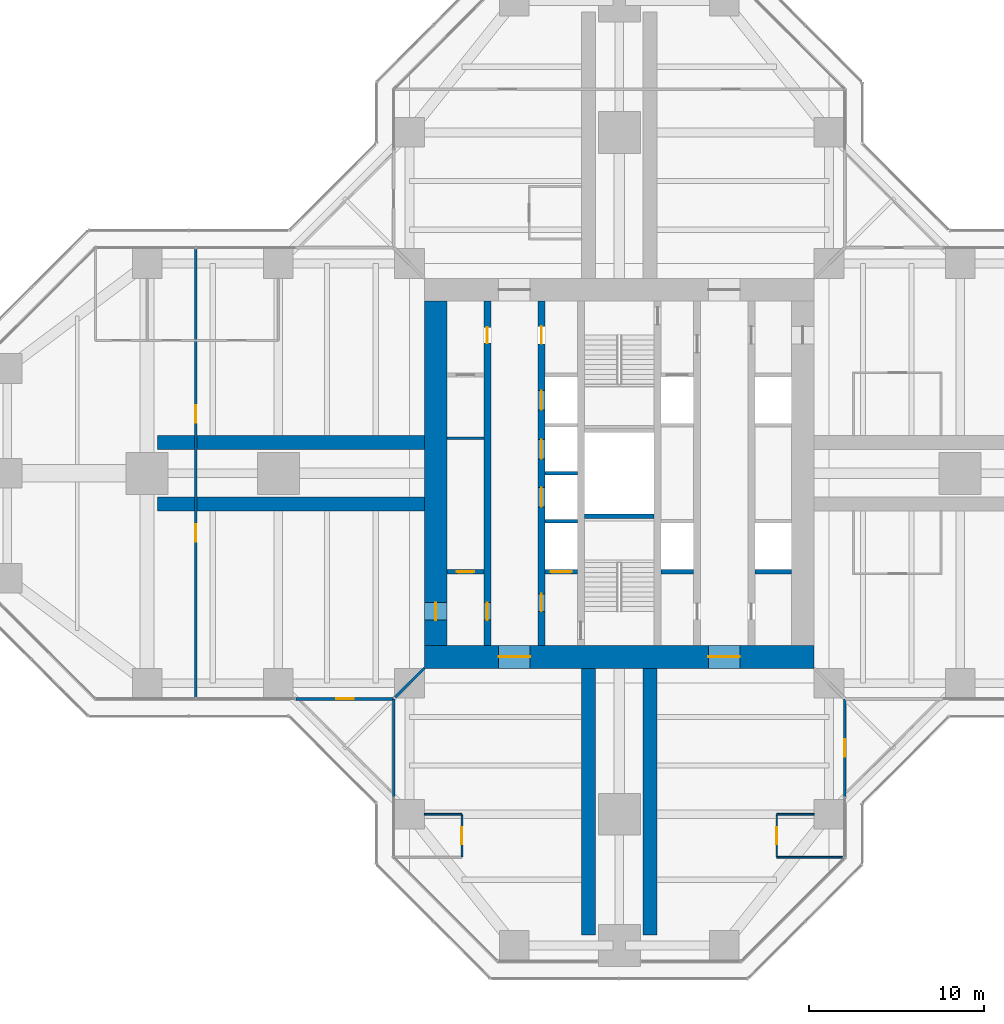
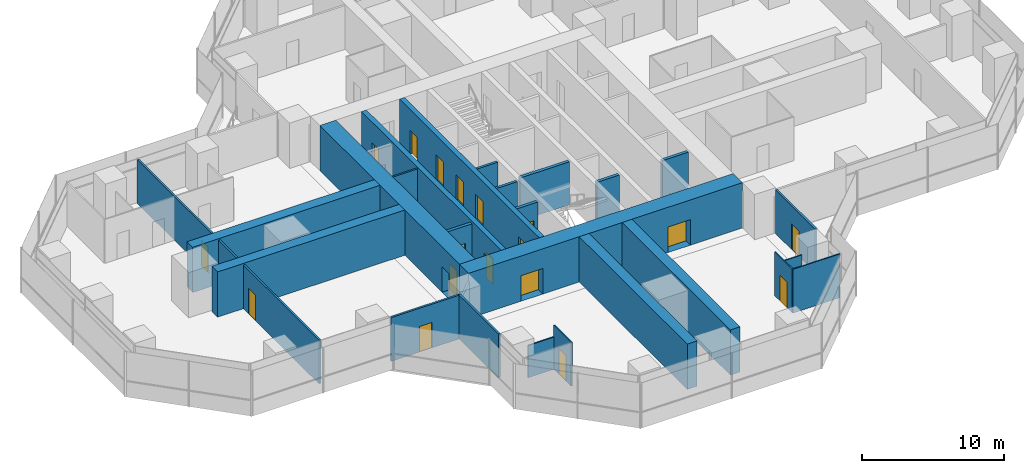
# One storey, part 15 of 19: 26 walls, 18 doors, 18 openings.
"""IFC4 building model written with IfcOpenShell, lengths in metres."""

from ifc_helpers import new_model, si_unit, direction, frame, frame_2d, origin, place, context, subcontext, project, spatial, rectangle, extrude, material, layer, layer_set, type_object, element, fill, save


model = new_model("IFC4")

# Units and contexts
model_context = context("Model", 3, precision=1e-05, world=origin(), true_north=direction((0.0, 1.0)))
body_context = subcontext(model_context, "Body", "Model", "MODEL_VIEW")
ifc_project = project(units=[si_unit("LENGTHUNIT", "METRE"), si_unit("AREAUNIT", "SQUARE_METRE"), si_unit("VOLUMEUNIT", "CUBIC_METRE"), si_unit("PLANEANGLEUNIT", "RADIAN"), si_unit("MASSUNIT", "GRAM", prefix="KILO")], contexts=[model_context])

# Site, building, storey
site_placement = place(None, origin())
site = spatial("IfcSite", under=ifc_project, at=site_placement, CompositionType="ELEMENT")
building_placement = place(site_placement, origin())
building = spatial("IfcBuilding", under=site, at=building_placement, Name="Mizan Broadcast Tower", CompositionType="ELEMENT")
storey_placement = place(building_placement, frame((0.0, 0.0, 159.300048828125)))
storey = spatial("IfcBuildingStorey", under=building, at=storey_placement, Name="L36", CompositionType="ELEMENT", Elevation=159.300048828125)

# Wall, openings, doors
ifc_material_1 = material(Name="Concrete C70/85", Category="concrete")
ifc_layer_1 = layer(ifc_material_1, 0.39990234375)
ifc_layer_set_1 = layer_set([ifc_layer_1], Name="Concrete C70/85")
wall_type_1 = type_object("IfcWallType", Name="CORE INTERNAL WALL 400", PredefinedType="SHEAR", material=ifc_layer_set_1)
wall_1_placement = place(storey_placement, frame((-7.550048828125, -9.85009765625, 0.0), z_axis=(0.0, 0.0, 1.0), x_axis=(0.0, 1.0, 0.0)))
wall_1 = element("IfcWall", 1, at=wall_1_placement, inside=storey, type_object=wall_type_1, Name="Core wall CORE/XW1", PredefinedType="SHEAR", context=body_context, shape_type="SweptSolid", body=[
    extrude(rectangle(XDim=19.7001953125, YDim=0.39990234375, at=frame_2d((9.85009765625, 0.0))), origin(), (0.0, 0.0, 1.0), 3.89990234375),
])
opening_1_placement = place(wall_1_placement, frame((1.449951171875, 0.0, 0.0)))
opening_1 = element("IfcOpeningElement", 2, at=opening_1_placement, cuts=wall_1, Name="Opening D10F", PredefinedType="OPENING", context=body_context, shape_type="SweptSolid", body=[
    extrude(rectangle(XDim=1.0, YDim=2.199951171875, at=frame_2d((0.5, 1.10009765625))), frame((0.0, 0.2099609375, 0.0), z_axis=(0.0, -1.0, 0.0), x_axis=(1.0, 0.0, 0.0)), (0.0, 0.0, 1.0), 0.419921875),
])
opening_2_placement = place(wall_1_placement, frame((17.300048828125, 0.0, 0.0)))
opening_2 = element("IfcOpeningElement", 3, at=opening_2_placement, cuts=wall_1, Name="Opening D09", PredefinedType="OPENING", context=body_context, shape_type="SweptSolid", body=[
    extrude(rectangle(XDim=0.89990234375, YDim=2.10009765625, at=frame_2d((0.449951171875, 1.050048828125))), frame((0.0, 0.2099609375, 0.0), z_axis=(0.0, -1.0, 0.0), x_axis=(1.0, 0.0, 0.0)), (0.0, 0.0, 1.0), 0.419921875),
])
ifc_material_2 = material(Name="Steel door leaf in steel frame", Category="steel")
door_type_1 = type_object("IfcDoorType", Name="FIRE DOOR 1000 FD90", OperationType="SINGLE_SWING_LEFT", PredefinedType="DOOR", material=ifc_material_2)
door_1_placement = place(opening_1_placement, origin())
door_1 = element("IfcDoor", 4, at=door_1_placement, inside=storey, type_object=door_type_1, Name="West core passage door", OperationType="SINGLE_SWING_LEFT", OverallHeight=2.199951171875, OverallWidth=1.0, PredefinedType="DOOR", context=body_context, shape_type="SweptSolid", body=[
    extrude(rectangle(XDim=1.0, YDim=2.199951171875, at=frame_2d((0.5, 1.10009765625))), frame((0.0, 0.02490234375, 0.0), z_axis=(0.0, -1.0, 0.0), x_axis=(1.0, 0.0, 0.0)), (0.0, 0.0, 1.0), 0.050048828125),
])
fill(opening_1, door_1)
ifc_material_3 = material(Name="Timber door leaf in aluminium frame", Category="wood")
door_type_2 = type_object("IfcDoorType", Name="TOILET DOOR 900", OperationType="SINGLE_SWING_LEFT", PredefinedType="DOOR", material=ifc_material_3)
door_2_placement = place(opening_2_placement, origin())
door_2 = element("IfcDoor", 5, at=door_2_placement, inside=storey, type_object=door_type_2, Name="Male WC door", OperationType="SINGLE_SWING_RIGHT", OverallHeight=2.10009765625, OverallWidth=0.89990234375, PredefinedType="DOOR", context=body_context, shape_type="SweptSolid", body=[
    extrude(rectangle(XDim=0.89990234375, YDim=2.10009765625, at=frame_2d((0.449951171875, 1.050048828125))), frame((0.0, 0.02490234375, 0.0), z_axis=(0.0, -1.0, 0.0), x_axis=(1.0, 0.0, 0.0)), (0.0, 0.0, 1.0), 0.050048828125),
])
fill(opening_2, door_2)

wall_2_placement = place(storey_placement, frame((-4.449951171875, -9.85009765625, 0.0), z_axis=(0.0, 0.0, 1.0), x_axis=(0.0, 1.0, 0.0)))
wall_2 = element("IfcWall", 6, at=wall_2_placement, inside=storey, type_object=wall_type_1, Name="Core wall CORE/XWH", PredefinedType="SHEAR", context=body_context, shape_type="SweptSolid", body=[
    extrude(rectangle(XDim=19.7001953125, YDim=0.39990234375, at=frame_2d((9.85009765625, 0.0))), origin(), (0.0, 0.0, 1.0), 3.89990234375),
])
opening_3_placement = place(wall_2_placement, frame((1.949951171875, 0.0, 0.0)))
opening_3 = element("IfcOpeningElement", 7, at=opening_3_placement, cuts=wall_2, Name="Opening D10F", PredefinedType="OPENING", context=body_context, shape_type="SweptSolid", body=[
    extrude(rectangle(XDim=1.0, YDim=2.199951171875, at=frame_2d((0.5, 1.10009765625))), frame((0.0, 0.2099609375, 0.0), z_axis=(0.0, -1.0, 0.0), x_axis=(1.0, 0.0, 0.0)), (0.0, 0.0, 1.0), 0.419921875),
])
opening_4_placement = place(wall_2_placement, frame((17.25, 0.0, 0.0)))
opening_4 = element("IfcOpeningElement", 8, at=opening_4_placement, cuts=wall_2, Name="Opening D10A", PredefinedType="OPENING", context=body_context, shape_type="SweptSolid", body=[
    extrude(rectangle(XDim=1.0, YDim=2.10009765625, at=frame_2d((0.5, 1.050048828125))), frame((0.0, 0.2099609375, 0.0), z_axis=(0.0, -1.0, 0.0), x_axis=(1.0, 0.0, 0.0)), (0.0, 0.0, 1.0), 0.419921875),
])
opening_5_placement = place(wall_2_placement, frame((7.925048828125, 0.0, 0.0)))
opening_5 = element("IfcOpeningElement", 9, at=opening_5_placement, cuts=wall_2, Name="Opening LD", PredefinedType="OPENING", context=body_context, shape_type="SweptSolid", body=[
    extrude(rectangle(XDim=1.10009765625, YDim=2.199951171875, at=frame_2d((0.550048828125, 1.10009765625))), frame((0.0, 0.2099609375, 0.0), z_axis=(0.0, -1.0, 0.0), x_axis=(1.0, 0.0, 0.0)), (0.0, 0.0, 1.0), 0.419921875),
])
opening_6_placement = place(wall_2_placement, frame((10.675048828125, 0.0, 0.0)))
opening_6 = element("IfcOpeningElement", 10, at=opening_6_placement, cuts=wall_2, Name="Opening LD", PredefinedType="OPENING", context=body_context, shape_type="SweptSolid", body=[
    extrude(rectangle(XDim=1.10009765625, YDim=2.199951171875, at=frame_2d((0.550048828125, 1.10009765625))), frame((0.0, 0.2099609375, 0.0), z_axis=(0.0, -1.0, 0.0), x_axis=(1.0, 0.0, 0.0)), (0.0, 0.0, 1.0), 0.419921875),
])
opening_7_placement = place(wall_2_placement, frame((13.47509765625, 0.0, 0.0)))
opening_7 = element("IfcOpeningElement", 11, at=opening_7_placement, cuts=wall_2, Name="Opening LD", PredefinedType="OPENING", context=body_context, shape_type="SweptSolid", body=[
    extrude(rectangle(XDim=1.10009765625, YDim=2.199951171875, at=frame_2d((0.550048828125, 1.10009765625))), frame((0.0, 0.2099609375, 0.0), z_axis=(0.0, -1.0, 0.0), x_axis=(1.0, 0.0, 0.0)), (0.0, 0.0, 1.0), 0.419921875),
])
ifc_material_4 = material(Name="Timber door leaf in aluminium frame", Category="wood")
door_type_3 = type_object("IfcDoorType", Name="ACCESSIBLE WC DOOR 1000", OperationType="SLIDING_TO_LEFT", PredefinedType="DOOR", material=ifc_material_4)
door_3_placement = place(opening_4_placement, origin())
door_3 = element("IfcDoor", 12, at=door_3_placement, inside=storey, type_object=door_type_3, Name="Accessible WC door", OperationType="SLIDING_TO_LEFT", OverallHeight=2.10009765625, OverallWidth=1.0, PredefinedType="DOOR", context=body_context, shape_type="SweptSolid", body=[
    extrude(rectangle(XDim=1.0, YDim=2.10009765625, at=frame_2d((0.5, 1.050048828125))), frame((0.0, 0.02490234375, 0.0), z_axis=(0.0, -1.0, 0.0), x_axis=(1.0, 0.0, 0.0)), (0.0, 0.0, 1.0), 0.050048828125),
])
fill(opening_4, door_3)
door_4_placement = place(opening_3_placement, origin())
door_4 = element("IfcDoor", 13, at=door_4_placement, inside=storey, type_object=door_type_1, Name="Firefighting lobby A door", OperationType="SINGLE_SWING_LEFT", OverallHeight=2.199951171875, OverallWidth=1.0, PredefinedType="DOOR", context=body_context, shape_type="SweptSolid", body=[
    extrude(rectangle(XDim=1.0, YDim=2.199951171875, at=frame_2d((0.5, 1.10009765625))), frame((0.0, 0.02490234375, 0.0), z_axis=(0.0, -1.0, 0.0), x_axis=(1.0, 0.0, 0.0)), (0.0, 0.0, 1.0), 0.050048828125),
])
fill(opening_3, door_4)
ifc_material_5 = material(Name="Steel door leaf in steel frame", Category="steel")
door_type_4 = type_object("IfcDoorType", Name="LIFT LANDING DOOR 1100", OperationType="SLIDING_TO_LEFT", PredefinedType="DOOR", material=ifc_material_5)
door_5_placement = place(opening_5_placement, origin())
door_5 = element("IfcDoor", 14, at=door_5_placement, inside=storey, type_object=door_type_4, Name="Landing door LB1", OperationType="SLIDING_TO_LEFT", OverallHeight=2.199951171875, OverallWidth=1.10009765625, PredefinedType="DOOR", context=body_context, shape_type="SweptSolid", body=[
    extrude(rectangle(XDim=1.10009765625, YDim=2.199951171875, at=frame_2d((0.550048828125, 1.10009765625))), frame((0.0, 0.02490234375, 0.0), z_axis=(0.0, -1.0, 0.0), x_axis=(1.0, 0.0, 0.0)), (0.0, 0.0, 1.0), 0.050048828125),
])
fill(opening_5, door_5)
door_6_placement = place(opening_6_placement, origin())
door_6 = element("IfcDoor", 15, at=door_6_placement, inside=storey, type_object=door_type_4, Name="Landing door LB2", OperationType="SLIDING_TO_LEFT", OverallHeight=2.199951171875, OverallWidth=1.10009765625, PredefinedType="DOOR", context=body_context, shape_type="SweptSolid", body=[
    extrude(rectangle(XDim=1.10009765625, YDim=2.199951171875, at=frame_2d((0.550048828125, 1.10009765625))), frame((0.0, 0.02490234375, 0.0), z_axis=(0.0, -1.0, 0.0), x_axis=(1.0, 0.0, 0.0)), (0.0, 0.0, 1.0), 0.050048828125),
])
fill(opening_6, door_6)
door_7_placement = place(opening_7_placement, origin())
door_7 = element("IfcDoor", 16, at=door_7_placement, inside=storey, type_object=door_type_4, Name="Landing door LB3", OperationType="SLIDING_TO_LEFT", OverallHeight=2.199951171875, OverallWidth=1.10009765625, PredefinedType="DOOR", context=body_context, shape_type="SweptSolid", body=[
    extrude(rectangle(XDim=1.10009765625, YDim=2.199951171875, at=frame_2d((0.550048828125, 1.10009765625))), frame((0.0, 0.02490234375, 0.0), z_axis=(0.0, -1.0, 0.0), x_axis=(1.0, 0.0, 0.0)), (0.0, 0.0, 1.0), 0.050048828125),
])
fill(opening_7, door_7)

# Wall
ifc_material_6 = material(Name="Concrete blockwork", Category="masonry")
ifc_layer_2 = layer(ifc_material_6, 0.14990234375)
ifc_layer_set_2 = layer_set([ifc_layer_2], Name="Concrete blockwork")
wall_type_2 = type_object("IfcWallType", Name="CORE PARTITION 150", PredefinedType="SOLIDWALL", material=ifc_layer_set_2)
wall_3_placement = place(storey_placement, frame((-9.85009765625, 2.0, 0.0), z_axis=(0.0, 0.0, 1.0), x_axis=(1.0, 0.0, 0.0)))
element("IfcWall", 17, at=wall_3_placement, inside=storey, type_object=wall_type_2, Name="Core partition CORE/XP1", PredefinedType="SOLIDWALL", context=body_context, shape_type="SweptSolid", body=[
    extrude(rectangle(XDim=2.10009765625, YDim=0.14990234375, at=frame_2d((1.050048828125, 0.0))), origin(), (0.0, 0.0, 1.0), 3.77001953125),
])

# Wall, openings, doors
ifc_material_7 = material(Name="Concrete C70/85", Category="concrete")
ifc_layer_3 = layer(ifc_material_7, 1.300048828125)
ifc_layer_set_3 = layer_set([ifc_layer_3], Name="Concrete C70/85")
wall_type_3 = type_object("IfcWallType", Name="CORE WALL 1300", PredefinedType="SHEAR", material=ifc_layer_set_3)
wall_4_placement = place(storey_placement, frame((11.14990234375, -10.5, 0.0), z_axis=(0.0, 0.0, 1.0), x_axis=(-1.0, 0.0, 0.0)))
wall_4 = element("IfcWall", 18, at=wall_4_placement, inside=storey, type_object=wall_type_3, Name="Core wall S L36", PredefinedType="SHEAR", context=body_context, shape_type="SweptSolid", body=[
    extrude(rectangle(XDim=22.2998046875, YDim=1.300048828125, at=frame_2d((11.14990234375, 0.0))), origin(), (0.0, 0.0, 1.0), 3.89990234375),
])
opening_8_placement = place(wall_4_placement, frame((16.25, 0.0, 0.0)))
opening_8 = element("IfcOpeningElement", 19, at=opening_8_placement, cuts=wall_4, Name="Opening D18F", PredefinedType="OPENING", context=body_context, shape_type="SweptSolid", body=[
    extrude(rectangle(XDim=1.800048828125, YDim=2.199951171875, at=frame_2d((0.89990234375, 1.10009765625))), frame((0.0, 0.659912109375, 0.0), z_axis=(0.0, -1.0, 0.0), x_axis=(1.0, 0.0, 0.0)), (0.0, 0.0, 1.0), 1.320068359375),
])
opening_9_placement = place(wall_4_placement, frame((4.25, 0.0, 0.0)))
opening_9 = element("IfcOpeningElement", 20, at=opening_9_placement, cuts=wall_4, Name="Opening D18F", PredefinedType="OPENING", context=body_context, shape_type="SweptSolid", body=[
    extrude(rectangle(XDim=1.800048828125, YDim=2.199951171875, at=frame_2d((0.89990234375, 1.10009765625))), frame((0.0, 0.659912109375, 0.0), z_axis=(0.0, -1.0, 0.0), x_axis=(1.0, 0.0, 0.0)), (0.0, 0.0, 1.0), 1.320068359375),
])
ifc_material_8 = material(Name="Steel door leaf in steel frame", Category="steel")
door_type_5 = type_object("IfcDoorType", Name="LOBBY DOUBLE DOOR 1800 FD90", OperationType="DOUBLE_DOOR_DOUBLE_SWING", PredefinedType="DOOR", material=ifc_material_8)
door_8_placement = place(opening_8_placement, origin())
door_8 = element("IfcDoor", 21, at=door_8_placement, inside=storey, type_object=door_type_5, Name="West lift lobby south door", OperationType="DOUBLE_DOOR_DOUBLE_SWING", OverallHeight=2.199951171875, OverallWidth=1.800048828125, PredefinedType="DOOR", context=body_context, shape_type="SweptSolid", body=[
    extrude(rectangle(XDim=1.800048828125, YDim=2.199951171875, at=frame_2d((0.89990234375, 1.10009765625))), frame((0.0, 0.02490234375, 0.0), z_axis=(0.0, -1.0, 0.0), x_axis=(1.0, 0.0, 0.0)), (0.0, 0.0, 1.0), 0.050048828125),
])
fill(opening_8, door_8)
door_9_placement = place(opening_9_placement, origin())
door_9 = element("IfcDoor", 22, at=door_9_placement, inside=storey, type_object=door_type_5, Name="East lift lobby south door", OperationType="DOUBLE_DOOR_DOUBLE_SWING", OverallHeight=2.199951171875, OverallWidth=1.800048828125, PredefinedType="DOOR", context=body_context, shape_type="SweptSolid", body=[
    extrude(rectangle(XDim=1.800048828125, YDim=2.199951171875, at=frame_2d((0.89990234375, 1.10009765625))), frame((0.0, 0.02490234375, 0.0), z_axis=(0.0, -1.0, 0.0), x_axis=(1.0, 0.0, 0.0)), (0.0, 0.0, 1.0), 0.050048828125),
])
fill(opening_9, door_9)

# Wall, opening, door
wall_5_placement = place(storey_placement, frame((-10.5, 9.85009765625, 0.0), z_axis=(0.0, 0.0, 1.0), x_axis=(0.0, -1.0, 0.0)))
wall_5 = element("IfcWall", 23, at=wall_5_placement, inside=storey, type_object=wall_type_3, Name="Core wall W L36", PredefinedType="SHEAR", context=body_context, shape_type="SweptSolid", body=[
    extrude(rectangle(XDim=19.7001953125, YDim=1.300048828125, at=frame_2d((9.85009765625, 0.0))), origin(), (0.0, 0.0, 1.0), 3.89990234375),
])
opening_10_placement = place(wall_5_placement, frame((17.25, 0.0, 0.0)))
opening_10 = element("IfcOpeningElement", 24, at=opening_10_placement, cuts=wall_5, Name="Opening D10F", PredefinedType="OPENING", context=body_context, shape_type="SweptSolid", body=[
    extrude(rectangle(XDim=1.0, YDim=2.199951171875, at=frame_2d((0.5, 1.10009765625))), frame((0.0, 0.659912109375, 0.0), z_axis=(0.0, -1.0, 0.0), x_axis=(1.0, 0.0, 0.0)), (0.0, 0.0, 1.0), 1.320068359375),
])
door_10_placement = place(opening_10_placement, origin())
door_10 = element("IfcDoor", 25, at=door_10_placement, inside=storey, type_object=door_type_1, Name="West core passage arm door", OperationType="SINGLE_SWING_RIGHT", OverallHeight=2.199951171875, OverallWidth=1.0, PredefinedType="DOOR", context=body_context, shape_type="SweptSolid", body=[
    extrude(rectangle(XDim=1.0, YDim=2.199951171875, at=frame_2d((0.5, 1.10009765625))), frame((0.0, 0.02490234375, 0.0), z_axis=(0.0, -1.0, 0.0), x_axis=(1.0, 0.0, 0.0)), (0.0, 0.0, 1.0), 0.050048828125),
])
fill(opening_10, door_10)

ifc_material_9 = material(Name="Aluminium framed glazed screen", Category="aluminium")
ifc_layer_4 = layer(ifc_material_9, 0.159912109375)
ifc_layer_set_4 = layer_set([ifc_layer_4], Name="Aluminium framed glazed screen")
wall_type_4 = type_object("IfcWallType", Name="GLAZED SCREEN WALL 160", PredefinedType="SOLIDWALL", material=ifc_layer_set_4)
wall_6_placement = place(storey_placement, frame((-18.5, -12.89990234375, 0.0), z_axis=(0.0, 0.0, 1.0), x_axis=(1.0, 0.0, 0.0)))
wall_6 = element("IfcWall", 26, at=wall_6_placement, inside=storey, type_object=wall_type_4, Name="Winter garden screen L36 W", PredefinedType="SOLIDWALL", context=body_context, shape_type="SweptSolid", body=[
    extrude(rectangle(XDim=5.60009765625, YDim=0.159912109375, at=frame_2d((2.800048828125, 0.0))), origin(), (0.0, 0.0, 1.0), 3.77001953125),
])
opening_11_placement = place(wall_6_placement, frame((2.300048828125, 0.0, 0.0)))
opening_11 = element("IfcOpeningElement", 27, at=opening_11_placement, cuts=wall_6, Name="Opening WGD", PredefinedType="OPENING", context=body_context, shape_type="SweptSolid", body=[
    extrude(rectangle(XDim=1.0, YDim=2.199951171875, at=frame_2d((0.5, 1.10009765625))), frame((0.0, 0.08984375, 0.0), z_axis=(0.0, -1.0, 0.0), x_axis=(1.0, 0.0, 0.0)), (0.0, 0.0, 1.0), 0.179931640625),
])
ifc_material_10 = material(Name="Aluminium framed glazed door", Category="aluminium")
door_type_6 = type_object("IfcDoorType", Name="WINTER GARDEN DOOR 1000 GLAZED", OperationType="SINGLE_SWING_LEFT", PredefinedType="DOOR", material=ifc_material_10)
door_11_placement = place(opening_11_placement, origin())
door_11 = element("IfcDoor", 28, at=door_11_placement, inside=storey, type_object=door_type_6, Name="Winter garden door L36 W", OperationType="SINGLE_SWING_RIGHT", OverallHeight=2.199951171875, OverallWidth=1.0, PredefinedType="DOOR", context=body_context, shape_type="SweptSolid", body=[
    extrude(rectangle(XDim=1.0, YDim=2.199951171875, at=frame_2d((0.5, 1.10009765625))), frame((0.0, 0.02490234375, 0.0), z_axis=(0.0, -1.0, 0.0), x_axis=(1.0, 0.0, 0.0)), (0.0, 0.0, 1.0), 0.050048828125),
])
fill(opening_11, door_11)

# Wall
wall_7_placement = place(storey_placement, frame((-12.89990234375, -12.89990234375, 0.0), z_axis=(0.0, 0.0, 1.0), x_axis=(0.0, -1.0, 0.0)))
element("IfcWall", 29, at=wall_7_placement, inside=storey, type_object=wall_type_4, Name="Winter garden screen L36 S", PredefinedType="SOLIDWALL", context=body_context, shape_type="SweptSolid", body=[
    extrude(rectangle(XDim=5.60009765625, YDim=0.159912109375, at=frame_2d((2.800048828125, 0.0))), origin(), (0.0, 0.0, 1.0), 3.77001953125),
])

# Wall, opening, door
wall_8_placement = place(storey_placement, frame((12.89990234375, -18.5, 0.0), z_axis=(0.0, 0.0, 1.0), x_axis=(0.0, 1.0, 0.0)))
wall_8 = element("IfcWall", 30, at=wall_8_placement, inside=storey, type_object=wall_type_4, Name="Winter garden screen L36 S", PredefinedType="SOLIDWALL", context=body_context, shape_type="SweptSolid", body=[
    extrude(rectangle(XDim=5.60009765625, YDim=0.159912109375, at=frame_2d((2.800048828125, 0.0))), origin(), (0.0, 0.0, 1.0), 3.77001953125),
])
opening_12_placement = place(wall_8_placement, frame((2.300048828125, 0.0, 0.0)))
opening_12 = element("IfcOpeningElement", 31, at=opening_12_placement, cuts=wall_8, Name="Opening WGD", PredefinedType="OPENING", context=body_context, shape_type="SweptSolid", body=[
    extrude(rectangle(XDim=1.0, YDim=2.199951171875, at=frame_2d((0.5, 1.10009765625))), frame((0.0, 0.08984375, 0.0), z_axis=(0.0, -1.0, 0.0), x_axis=(1.0, 0.0, 0.0)), (0.0, 0.0, 1.0), 0.179931640625),
])
door_12_placement = place(opening_12_placement, origin())
door_12 = element("IfcDoor", 32, at=door_12_placement, inside=storey, type_object=door_type_6, Name="Winter garden door L36 S", OperationType="SINGLE_SWING_RIGHT", OverallHeight=2.199951171875, OverallWidth=1.0, PredefinedType="DOOR", context=body_context, shape_type="SweptSolid", body=[
    extrude(rectangle(XDim=1.0, YDim=2.199951171875, at=frame_2d((0.5, 1.10009765625))), frame((0.0, 0.02490234375, 0.0), z_axis=(0.0, -1.0, 0.0), x_axis=(1.0, 0.0, 0.0)), (0.0, 0.0, 1.0), 0.050048828125),
])
fill(opening_12, door_12)

# Walls
ifc_material_11 = material(Name="Concrete blockwork", Category="masonry")
ifc_layer_5 = layer(ifc_material_11, 0.199951171875)
ifc_layer_set_5 = layer_set([ifc_layer_5], Name="Concrete blockwork")
wall_type_5 = type_object("IfcWallType", Name="LIFT SHAFT WALL 200", PredefinedType="SOLIDWALL", material=ifc_layer_set_5)
for number, where, z_axis, x_axis, name in (
    (33, (-4.25, -2.75, 0.0), (0.0, 0.0, 1.0), (1.0, 0.0, 0.0), "Lift shaft wall CORE/SW2-1"),
    (34, (-4.25, 0.0, 0.0), (0.0, 0.0, 1.0), (1.0, 0.0, 0.0), "Lift shaft wall CORE/SW2-2"),
):
    element("IfcWall", number, at=place(storey_placement, frame(where, z_axis=z_axis, x_axis=x_axis)), inside=storey, type_object=wall_type_5, Name=name, PredefinedType="SOLIDWALL", context=body_context, shape_type="SweptSolid", body=[
        extrude(rectangle(XDim=1.85009765625, YDim=0.199951171875, at=frame_2d((0.925048828125, 0.0))), origin(), (0.0, 0.0, 1.0), 3.699951171875),
    ])

# Wall, opening, door
ifc_material_12 = material(Name="Concrete blockwork", Category="masonry")
ifc_layer_6 = layer(ifc_material_12, 0.25)
ifc_layer_set_6 = layer_set([ifc_layer_6], Name="Concrete blockwork")
wall_type_6 = type_object("IfcWallType", Name="LOBBY ENCLOSURE WALL 250", PredefinedType="SOLIDWALL", material=ifc_layer_set_6)
wall_9_placement = place(storey_placement, frame((-9.85009765625, -5.625, 0.0), z_axis=(0.0, 0.0, 1.0), x_axis=(1.0, 0.0, 0.0)))
wall_9 = element("IfcWall", 35, at=wall_9_placement, inside=storey, type_object=wall_type_6, Name="Lobby enclosure wall CORE/BW1S", PredefinedType="SOLIDWALL", context=body_context, shape_type="SweptSolid", body=[
    extrude(rectangle(XDim=2.10009765625, YDim=0.25, at=frame_2d((1.050048828125, 0.0))), origin(), (0.0, 0.0, 1.0), 3.699951171875),
])
opening_13_placement = place(wall_9_placement, frame((0.550048828125, 0.0, 0.0)))
opening_13 = element("IfcOpeningElement", 36, at=opening_13_placement, cuts=wall_9, Name="Opening D10F", PredefinedType="OPENING", context=body_context, shape_type="SweptSolid", body=[
    extrude(rectangle(XDim=1.0, YDim=2.199951171875, at=frame_2d((0.5, 1.10009765625))), frame((0.0, 0.135009765625, 0.0), z_axis=(0.0, -1.0, 0.0), x_axis=(1.0, 0.0, 0.0)), (0.0, 0.0, 1.0), 0.27001953125),
])
door_13_placement = place(opening_13_placement, origin())
door_13 = element("IfcDoor", 37, at=door_13_placement, inside=storey, type_object=door_type_1, Name="Print room door", OperationType="SINGLE_SWING_RIGHT", OverallHeight=2.199951171875, OverallWidth=1.0, PredefinedType="DOOR", context=body_context, shape_type="SweptSolid", body=[
    extrude(rectangle(XDim=1.0, YDim=2.199951171875, at=frame_2d((0.5, 1.10009765625))), frame((0.0, 0.02490234375, 0.0), z_axis=(0.0, -1.0, 0.0), x_axis=(1.0, 0.0, 0.0)), (0.0, 0.0, 1.0), 0.050048828125),
])
fill(opening_13, door_13)

wall_10_placement = place(storey_placement, frame((-4.25, -5.625, 0.0), z_axis=(0.0, 0.0, 1.0), x_axis=(1.0, 0.0, 0.0)))
wall_10 = element("IfcWall", 38, at=wall_10_placement, inside=storey, type_object=wall_type_6, Name="Lobby enclosure wall CORE/BW2S", PredefinedType="SOLIDWALL", context=body_context, shape_type="SweptSolid", body=[
    extrude(rectangle(XDim=1.85009765625, YDim=0.25, at=frame_2d((0.925048828125, 0.0))), origin(), (0.0, 0.0, 1.0), 3.699951171875),
])
opening_14_placement = place(wall_10_placement, frame((0.324951171875, 0.0, 0.0)))
opening_14 = element("IfcOpeningElement", 39, at=opening_14_placement, cuts=wall_10, Name="Opening LDF", PredefinedType="OPENING", context=body_context, shape_type="SweptSolid", body=[
    extrude(rectangle(XDim=1.199951171875, YDim=2.199951171875, at=frame_2d((0.60009765625, 1.10009765625))), frame((0.0, 0.135009765625, 0.0), z_axis=(0.0, -1.0, 0.0), x_axis=(1.0, 0.0, 0.0)), (0.0, 0.0, 1.0), 0.27001953125),
])
ifc_material_13 = material(Name="Steel door leaf in steel frame", Category="steel")
door_type_7 = type_object("IfcDoorType", Name="FIREFIGHTING LIFT LANDING DOOR 1200", OperationType="SLIDING_TO_LEFT", PredefinedType="DOOR", material=ifc_material_13)
door_14_placement = place(opening_14_placement, origin())
door_14 = element("IfcDoor", 40, at=door_14_placement, inside=storey, type_object=door_type_7, Name="Landing door FF1", OperationType="SLIDING_TO_LEFT", OverallHeight=2.199951171875, OverallWidth=1.199951171875, PredefinedType="DOOR", context=body_context, shape_type="SweptSolid", body=[
    extrude(rectangle(XDim=1.199951171875, YDim=2.199951171875, at=frame_2d((0.60009765625, 1.10009765625))), frame((0.0, 0.02490234375, 0.0), z_axis=(0.0, -1.0, 0.0), x_axis=(1.0, 0.0, 0.0)), (0.0, 0.0, 1.0), 0.050048828125),
])
fill(opening_14, door_14)

# Walls
wall_11_placement = place(storey_placement, frame((2.39990234375, -5.625, 0.0), z_axis=(0.0, 0.0, 1.0), x_axis=(1.0, 0.0, 0.0)))
element("IfcWall", 41, at=wall_11_placement, inside=storey, type_object=wall_type_6, Name="Lobby enclosure wall CORE/BE2S", PredefinedType="SOLIDWALL", context=body_context, shape_type="SweptSolid", body=[
    extrude(rectangle(XDim=1.85009765625, YDim=0.25, at=frame_2d((0.925048828125, 0.0))), origin(), (0.0, 0.0, 1.0), 3.699951171875),
])
wall_12_placement = place(storey_placement, frame((7.75, -5.625, 0.0), z_axis=(0.0, 0.0, 1.0), x_axis=(1.0, 0.0, 0.0)))
element("IfcWall", 42, at=wall_12_placement, inside=storey, type_object=wall_type_6, Name="Lobby enclosure wall CORE/BE1S", PredefinedType="SOLIDWALL", context=body_context, shape_type="SweptSolid", body=[
    extrude(rectangle(XDim=2.10009765625, YDim=0.25, at=frame_2d((1.050048828125, 0.0))), origin(), (0.0, 0.0, 1.0), 3.699951171875),
])
wall_13_placement = place(storey_placement, frame((-2.0, -2.449951171875, 0.0), z_axis=(0.0, 0.0, 1.0), x_axis=(1.0, 0.0, 0.0)))
element("IfcWall", 43, at=wall_13_placement, inside=storey, type_object=wall_type_6, Name="Lobby enclosure wall CORE/STA", PredefinedType="SOLIDWALL", context=body_context, shape_type="SweptSolid", body=[
    extrude(rectangle(XDim=4.0, YDim=0.25, at=frame_2d((2.0, 0.0))), origin(), (0.0, 0.0, 1.0), 3.699951171875),
])

# Wall, openings, doors
ifc_material_14 = material(Name="Gypsum board on steel studs", Category="steel")
ifc_layer_7 = layer(ifc_material_14, 0.14990234375)
ifc_layer_set_7 = layer_set([ifc_layer_7], Name="Gypsum board on steel studs")
wall_type_7 = type_object("IfcWallType", Name="PARTITION 150", PredefinedType="PARTITIONING", material=ifc_layer_set_7)
wall_14_placement = place(storey_placement, frame((-24.22900390625, 12.820068359375, 0.0), z_axis=(0.0, 0.0, 1.0), x_axis=(0.0, -1.0, 0.0)))
wall_14 = element("IfcWall", 44, at=wall_14_placement, inside=storey, type_object=wall_type_7, Name="Partition PT/WX1", PredefinedType="PARTITIONING", context=body_context, shape_type="SweptSolid", body=[
    extrude(rectangle(XDim=25.64013671875, YDim=0.14990234375, at=frame_2d((12.820068359375, 0.0))), origin(), (0.0, 0.0, 1.0), 3.77001953125),
])
opening_15_placement = place(wall_14_placement, frame((15.719970703125, 0.0, 0.0)))
opening_15 = element("IfcOpeningElement", 45, at=opening_15_placement, cuts=wall_14, Name="Opening D10", PredefinedType="OPENING", context=body_context, shape_type="SweptSolid", body=[
    extrude(rectangle(XDim=1.0, YDim=2.199951171875, at=frame_2d((0.5, 1.10009765625))), frame((0.0, 0.0849609375, 0.0), z_axis=(0.0, -1.0, 0.0), x_axis=(1.0, 0.0, 0.0)), (0.0, 0.0, 1.0), 0.169921875),
])
opening_16_placement = place(wall_14_placement, frame((8.919921875, 0.0, 0.0)))
opening_16 = element("IfcOpeningElement", 46, at=opening_16_placement, cuts=wall_14, Name="Opening D10", PredefinedType="OPENING", context=body_context, shape_type="SweptSolid", body=[
    extrude(rectangle(XDim=1.0, YDim=2.199951171875, at=frame_2d((0.5, 1.10009765625))), frame((0.0, 0.0849609375, 0.0), z_axis=(0.0, -1.0, 0.0), x_axis=(1.0, 0.0, 0.0)), (0.0, 0.0, 1.0), 0.169921875),
])
ifc_material_15 = material(Name="Timber door leaf in aluminium frame", Category="wood")
door_type_8 = type_object("IfcDoorType", Name="ROOM DOOR 1000", OperationType="SINGLE_SWING_LEFT", PredefinedType="DOOR", material=ifc_material_15)
door_15_placement = place(opening_15_placement, origin())
door_15 = element("IfcDoor", 47, at=door_15_placement, inside=storey, type_object=door_type_8, Name="Open office door", OperationType="SINGLE_SWING_RIGHT", OverallHeight=2.199951171875, OverallWidth=1.0, PredefinedType="DOOR", context=body_context, shape_type="SweptSolid", body=[
    extrude(rectangle(XDim=1.0, YDim=2.199951171875, at=frame_2d((0.5, 1.10009765625))), frame((0.0, 0.02490234375, 0.0), z_axis=(0.0, -1.0, 0.0), x_axis=(1.0, 0.0, 0.0)), (0.0, 0.0, 1.0), 0.050048828125),
])
fill(opening_15, door_15)
door_16_placement = place(opening_16_placement, origin())
door_16 = element("IfcDoor", 48, at=door_16_placement, inside=storey, type_object=door_type_8, Name="Open office door", OperationType="SINGLE_SWING_LEFT", OverallHeight=2.199951171875, OverallWidth=1.0, PredefinedType="DOOR", context=body_context, shape_type="SweptSolid", body=[
    extrude(rectangle(XDim=1.0, YDim=2.199951171875, at=frame_2d((0.5, 1.10009765625))), frame((0.0, 0.02490234375, 0.0), z_axis=(0.0, -1.0, 0.0), x_axis=(1.0, 0.0, 0.0)), (0.0, 0.0, 1.0), 0.050048828125),
])
fill(opening_16, door_16)

# Wall
wall_15_placement = place(storey_placement, frame((-11.14990234375, -11.14990234375, 0.0), z_axis=(0.0, 0.0, 1.0), x_axis=(-0.707106781187, -0.707106781187, 0.0)))
element("IfcWall", 49, at=wall_15_placement, inside=storey, type_object=wall_type_7, Name="Partition PT/DGWS", PredefinedType="PARTITIONING", context=body_context, shape_type="SweptSolid", body=[
    extrude(rectangle(XDim=2.362060546875, YDim=0.14990234375, at=frame_2d((1.18115234375, 0.0))), origin(), (0.0, 0.0, 1.0), 3.219970703125),
])

# Wall, opening, door
ifc_material_16 = material(Name="Glazed aluminium partition on aluminium track", Category="aluminium")
ifc_layer_8 = layer(ifc_material_16, 0.10009765625)
ifc_layer_set_8 = layer_set([ifc_layer_8], Name="Glazed aluminium partition on aluminium track")
wall_type_8 = type_object("IfcWallType", Name="PARTITION GLAZED OFFICE FRONT 100", PredefinedType="PARTITIONING", material=ifc_layer_set_8)
wall_16_placement = place(storey_placement, frame((9.0, -19.5, 0.0), z_axis=(0.0, 0.0, 1.0), x_axis=(0.0, -1.0, 0.0)))
wall_16 = element("IfcWall", 50, at=wall_16_placement, inside=storey, type_object=wall_type_8, Name="Glazed office front PT/SCP0", PredefinedType="PARTITIONING", context=body_context, shape_type="SweptSolid", body=[
    extrude(rectangle(XDim=2.458984375, YDim=0.10009765625, at=frame_2d((1.2294921875, 0.0))), origin(), (0.0, 0.0, 1.0), 3.77001953125),
])
opening_17_placement = place(wall_16_placement, frame((0.7294921875, 0.0, 0.0)))
opening_17 = element("IfcOpeningElement", 51, at=opening_17_placement, cuts=wall_16, Name="Opening D10O", PredefinedType="OPENING", context=body_context, shape_type="SweptSolid", body=[
    extrude(rectangle(XDim=1.0, YDim=2.199951171875, at=frame_2d((0.5, 1.10009765625))), frame((0.0, 0.06005859375, 0.0), z_axis=(0.0, -1.0, 0.0), x_axis=(1.0, 0.0, 0.0)), (0.0, 0.0, 1.0), 0.1201171875),
])
ifc_material_17 = material(Name="Timber door leaf in aluminium frame", Category="wood")
door_type_9 = type_object("IfcDoorType", Name="OFFICE DOOR 1000 GLAZED", OperationType="SINGLE_SWING_LEFT", PredefinedType="DOOR", material=ifc_material_17)
door_17_placement = place(opening_17_placement, origin())
door_17 = element("IfcDoor", 52, at=door_17_placement, inside=storey, type_object=door_type_9, Name="Office door", OperationType="SINGLE_SWING_LEFT", OverallHeight=2.199951171875, OverallWidth=1.0, PredefinedType="DOOR", context=body_context, shape_type="SweptSolid", body=[
    extrude(rectangle(XDim=1.0, YDim=2.199951171875, at=frame_2d((0.5, 1.10009765625))), frame((0.0, 0.02490234375, 0.0), z_axis=(0.0, -1.0, 0.0), x_axis=(1.0, 0.0, 0.0)), (0.0, 0.0, 1.0), 0.050048828125),
])
fill(opening_17, door_17)

# Walls
wall_17_placement = place(storey_placement, frame((9.0, -19.5, 0.0), z_axis=(0.0, 0.0, 1.0), x_axis=(1.0, 0.0, 0.0)))
element("IfcWall", 53, at=wall_17_placement, inside=storey, type_object=wall_type_8, Name="Glazed office front PT/SQP1950", PredefinedType="PARTITIONING", context=body_context, shape_type="SweptSolid", body=[
    extrude(rectangle(XDim=2.14990234375, YDim=0.10009765625, at=frame_2d((1.074951171875, 0.0))), origin(), (0.0, 0.0, 1.0), 2.77001953125),
])
wall_18_placement = place(storey_placement, frame((9.0, -21.958984375, 0.0), z_axis=(0.0, 0.0, 1.0), x_axis=(1.0, 0.0, 0.0)))
element("IfcWall", 54, at=wall_18_placement, inside=storey, type_object=wall_type_8, Name="Glazed office front PT/SQP2196", PredefinedType="PARTITIONING", context=body_context, shape_type="SweptSolid", body=[
    extrude(rectangle(XDim=3.820068359375, YDim=0.10009765625, at=frame_2d((1.91015625, 0.0))), origin(), (0.0, 0.0, 1.0), 3.77001953125),
])

# Wall, opening, door
wall_19_placement = place(storey_placement, frame((-9.0, -19.5, 0.0), z_axis=(0.0, 0.0, 1.0), x_axis=(0.0, -1.0, 0.0)))
wall_19 = element("IfcWall", 55, at=wall_19_placement, inside=storey, type_object=wall_type_8, Name="Glazed office front PT/SCN0", PredefinedType="PARTITIONING", context=body_context, shape_type="SweptSolid", body=[
    extrude(rectangle(XDim=2.458984375, YDim=0.10009765625, at=frame_2d((1.2294921875, 0.0))), origin(), (0.0, 0.0, 1.0), 3.77001953125),
])
opening_18_placement = place(wall_19_placement, frame((0.7294921875, 0.0, 0.0)))
opening_18 = element("IfcOpeningElement", 56, at=opening_18_placement, cuts=wall_19, Name="Opening D10O", PredefinedType="OPENING", context=body_context, shape_type="SweptSolid", body=[
    extrude(rectangle(XDim=1.0, YDim=2.199951171875, at=frame_2d((0.5, 1.10009765625))), frame((0.0, 0.06005859375, 0.0), z_axis=(0.0, -1.0, 0.0), x_axis=(1.0, 0.0, 0.0)), (0.0, 0.0, 1.0), 0.1201171875),
])
door_18_placement = place(opening_18_placement, origin())
door_18 = element("IfcDoor", 57, at=door_18_placement, inside=storey, type_object=door_type_9, Name="Scanning room door", OperationType="SINGLE_SWING_LEFT", OverallHeight=2.199951171875, OverallWidth=1.0, PredefinedType="DOOR", context=body_context, shape_type="SweptSolid", body=[
    extrude(rectangle(XDim=1.0, YDim=2.199951171875, at=frame_2d((0.5, 1.10009765625))), frame((0.0, 0.02490234375, 0.0), z_axis=(0.0, -1.0, 0.0), x_axis=(1.0, 0.0, 0.0)), (0.0, 0.0, 1.0), 0.050048828125),
])
fill(opening_18, door_18)

# Walls
wall_20_placement = place(storey_placement, frame((-9.0, -19.5, 0.0), z_axis=(0.0, 0.0, 1.0), x_axis=(-1.0, 0.0, 0.0)))
element("IfcWall", 58, at=wall_20_placement, inside=storey, type_object=wall_type_8, Name="Glazed office front PT/SQN1950", PredefinedType="PARTITIONING", context=body_context, shape_type="SweptSolid", body=[
    extrude(rectangle(XDim=2.14990234375, YDim=0.10009765625, at=frame_2d((1.074951171875, 0.0))), origin(), (0.0, 0.0, 1.0), 2.77001953125),
])
ifc_material_18 = material(Name="Concrete C70/85", Category="concrete")
ifc_layer_9 = layer(ifc_material_18, 0.800048828125)
ifc_layer_set_9 = layer_set([ifc_layer_9], Name="Concrete C70/85")
wall_type_9 = type_object("IfcWallType", Name="SPINE WALL 800", PredefinedType="SHEAR", material=ifc_layer_set_9)
for number, where, z_axis, x_axis, name in (
    (59, (-11.14990234375, 1.75, 0.0), (0.0, 0.0, 1.0), (-1.0, 0.0, 0.0), "Spine wall WR L36"),
    (60, (-11.14990234375, -1.75, 0.0), (0.0, 0.0, 1.0), (-1.0, 0.0, 0.0), "Spine wall WL L36"),
    (61, (-1.75, -11.14990234375, 0.0), (0.0, 0.0, 1.0), (0.0, -1.0, 0.0), "Spine wall SR L36"),
    (62, (1.75, -11.14990234375, 0.0), (0.0, 0.0, 1.0), (0.0, -1.0, 0.0), "Spine wall SL L36"),
):
    element("IfcWall", number, at=place(storey_placement, frame(where, z_axis=z_axis, x_axis=x_axis)), inside=storey, type_object=wall_type_9, Name=name, PredefinedType="SHEAR", context=body_context, shape_type="SweptSolid", body=[
        extrude(rectangle(XDim=15.25, YDim=0.800048828125, at=frame_2d((7.625, 0.0))), origin(), (0.0, 0.0, 1.0), 3.89990234375),
    ])

save(model, "model.ifc")
